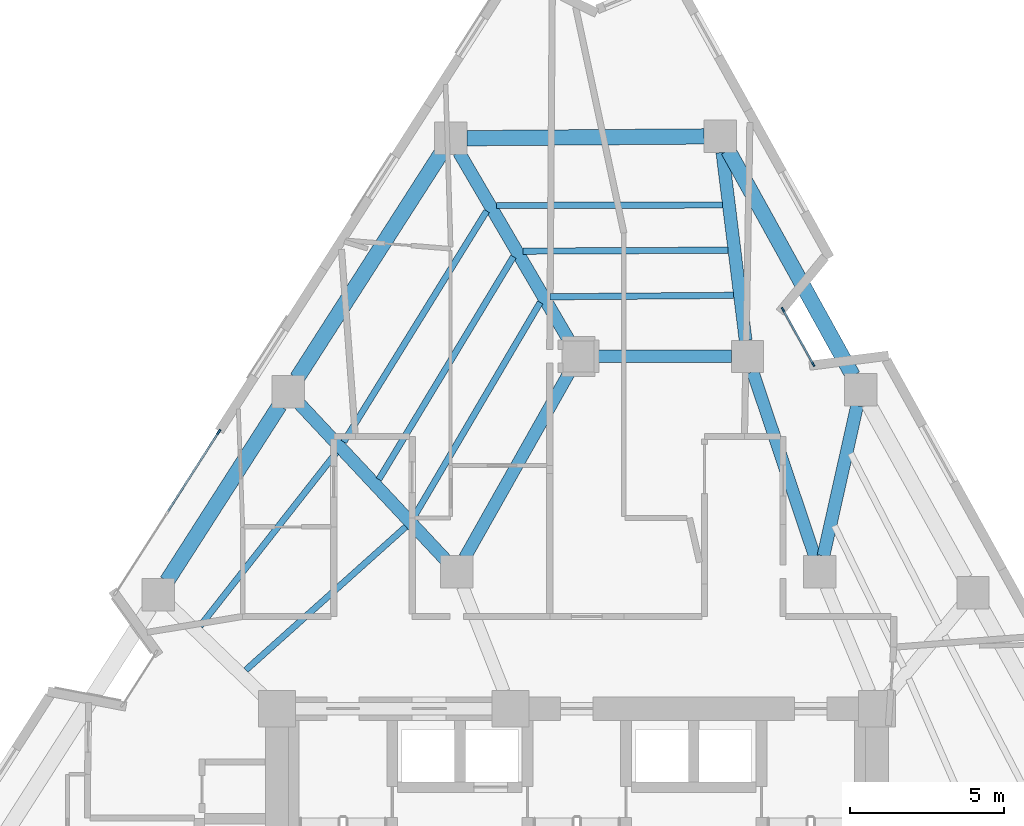
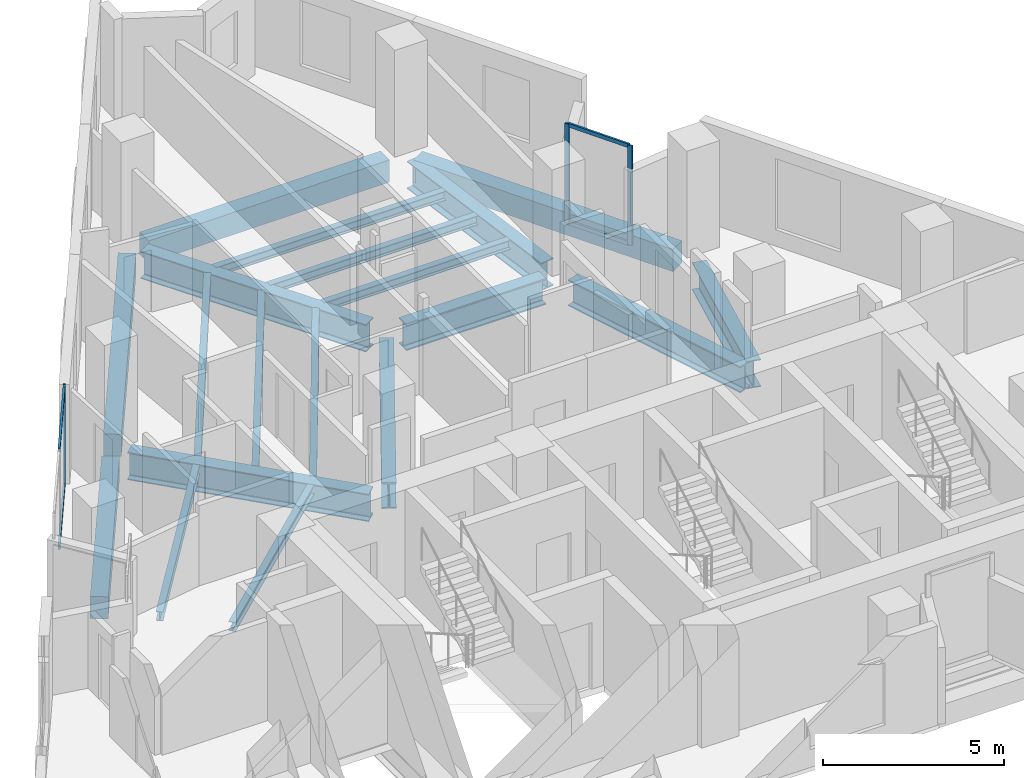
# One storey, part 3 of 11: 19 beams, 7 members, 2 elements without a shape of their own.
"""IFC4 building model written with IfcOpenShell, lengths in metres."""

from ifc_helpers import new_model, si_unit, direction, frame, origin, origin_2d, place, context, subcontext, project, spatial, rectangle, i_section, extrude, material, layer, layer_set, material_profile, profile_set, type_object, element, aggregate, save


model = new_model("IFC4")

# Units and contexts
model_context = context("Model", 3, precision=1e-05, world=origin(), true_north=direction((0.0, 1.0)))
body_context = subcontext(model_context, "Body", "Model", "MODEL_VIEW")
ifc_project = project(units=[si_unit("LENGTHUNIT", "METRE"), si_unit("AREAUNIT", "SQUARE_METRE"), si_unit("VOLUMEUNIT", "CUBIC_METRE"), si_unit("PLANEANGLEUNIT", "RADIAN"), si_unit("MASSUNIT", "GRAM", prefix="KILO")], contexts=[model_context])

# Site, building, storey
site_placement = place(None, origin())
site = spatial("IfcSite", under=ifc_project, at=site_placement, CompositionType="ELEMENT")
building_placement = place(site_placement, origin())
building = spatial("IfcBuilding", under=site, at=building_placement, Name="Almagre Mirador Tower", CompositionType="ELEMENT")
storey_placement = place(building_placement, frame((0.0, 0.0, 160.800048828125)))
storey = spatial("IfcBuildingStorey", under=building, at=storey_placement, Name="L41", CompositionType="ELEMENT", Elevation=160.800048828125)

# Beams
ifc_material_1 = material(Name="Steel ASTM A992 Grade 50", Category="steel")
ifc_material_profile_1 = material_profile(ifc_material_1, i_section(OverallWidth=0.205078125, OverallDepth=0.31005859375, WebThickness=0.009521484375, FlangeThickness=0.016357421875, FilletRadius=0.013916015625, at=origin_2d()), Name="W12X50")
ifc_profile_set_1 = profile_set([ifc_material_profile_1], Name="Steel ASTM A992 Grade 50")
beam_type_1 = type_object("IfcBeamType", Name="BM-JST-W12X50", PredefinedType="JOIST", material=ifc_profile_set_1)
beam_1_placement = place(storey_placement, frame((42.032958984375, 31.121826171875, -0.405029296875), z_axis=(-0.999997444767, -0.002260632521, 0.0), x_axis=(0.002260632521, -0.999997444767, 0.0)))
element("IfcBeam", 1, at=beam_1_placement, inside=storey, type_object=beam_type_1, Name="L41 secondary floor joist PC08-PC09.1", PredefinedType="JOIST", context=body_context, shape_type="SweptSolid", body=[
    extrude(i_section(OverallWidth=0.205078125, OverallDepth=0.31005859375, WebThickness=0.009521484375, FlangeThickness=0.016357421875, FilletRadius=0.013916015625, at=origin_2d()), origin(), (0.0, 0.0, 1.0), 7.34375),
])
beam_2_placement = place(storey_placement, frame((42.214111328125, 29.654296875, -0.405029296875), z_axis=(-0.999988103405, -0.004877811845, 0.0), x_axis=(0.004877811845, -0.999988103405, 0.0)))
element("IfcBeam", 2, at=beam_2_placement, inside=storey, type_object=beam_type_1, Name="L41 secondary floor joist PC08-PC09.2", PredefinedType="JOIST", context=body_context, shape_type="SweptSolid", body=[
    extrude(i_section(OverallWidth=0.205078125, OverallDepth=0.31005859375, WebThickness=0.009521484375, FlangeThickness=0.016357421875, FilletRadius=0.013916015625, at=origin_2d()), origin(), (0.0, 0.0, 1.0), 6.65673828125),
])
beam_3_placement = place(storey_placement, frame((42.3955078125, 28.186279296875, -0.405029296875), z_axis=(-0.999968205338, -0.007974228113, 0.0), x_axis=(0.007974228113, -0.999968205338, 0.0)))
element("IfcBeam", 3, at=beam_3_placement, inside=storey, type_object=beam_type_1, Name="L41 secondary floor joist PC08-PC09.3", PredefinedType="JOIST", context=body_context, shape_type="SweptSolid", body=[
    extrude(i_section(OverallWidth=0.205078125, OverallDepth=0.31005859375, WebThickness=0.009521484375, FlangeThickness=0.016357421875, FilletRadius=0.013916015625, at=origin_2d()), origin(), (0.0, 0.0, 1.0), 5.97021484375),
])
beam_4_placement = place(storey_placement, frame((34.3701171875, 30.927001953125, -0.405029296875), z_axis=(-0.526297490508, -0.850300506577, 0.0), x_axis=(0.850300506577, -0.526297490508, 0.0)))
element("IfcBeam", 4, at=beam_4_placement, inside=storey, type_object=beam_type_1, Name="L41 secondary floor joist PC09-PC10.1", PredefinedType="JOIST", context=body_context, shape_type="SweptSolid", body=[
    extrude(i_section(OverallWidth=0.205078125, OverallDepth=0.31005859375, WebThickness=0.009521484375, FlangeThickness=0.016357421875, FilletRadius=0.013916015625, at=origin_2d()), origin(), (0.0, 0.0, 1.0), 8.828125),
])
beam_5_placement = place(storey_placement, frame((35.240234375, 29.44189453125, -0.405029296875), z_axis=(-0.5172600995, -0.855828247644, 0.0), x_axis=(0.855828247644, -0.5172600995, 0.0)))
element("IfcBeam", 5, at=beam_5_placement, inside=storey, type_object=beam_type_1, Name="L41 secondary floor joist PC09-PC10.2", PredefinedType="JOIST", context=body_context, shape_type="SweptSolid", body=[
    extrude(i_section(OverallWidth=0.205078125, OverallDepth=0.31005859375, WebThickness=0.009521484375, FlangeThickness=0.016357421875, FilletRadius=0.013916015625, at=origin_2d()), origin(), (0.0, 0.0, 1.0), 8.4599609375),
])
beam_6_placement = place(storey_placement, frame((36.110595703125, 27.956787109375, -0.405029296875), z_axis=(-0.507370781605, -0.861727851455, 0.0), x_axis=(0.861727851455, -0.507370781605, 0.0)))
element("IfcBeam", 6, at=beam_6_placement, inside=storey, type_object=beam_type_1, Name="L41 secondary floor joist PC09-PC10.3", PredefinedType="JOIST", context=body_context, shape_type="SweptSolid", body=[
    extrude(i_section(OverallWidth=0.205078125, OverallDepth=0.31005859375, WebThickness=0.009521484375, FlangeThickness=0.016357421875, FilletRadius=0.013916015625, at=origin_2d()), origin(), (0.0, 0.0, 1.0), 8.092529296875),
])
beam_7_placement = place(storey_placement, frame((29.484619140625, 23.078369140625, -0.405029296875), z_axis=(-0.617460619368, -0.786601794766, 0.0), x_axis=(0.786601794766, -0.617460619368, 0.0)))
element("IfcBeam", 7, at=beam_7_placement, inside=storey, type_object=beam_type_1, Name="L41 secondary floor joist PC10-PC11.1", PredefinedType="JOIST", context=body_context, shape_type="SweptSolid", body=[
    extrude(i_section(OverallWidth=0.205078125, OverallDepth=0.31005859375, WebThickness=0.009521484375, FlangeThickness=0.016357421875, FilletRadius=0.013916015625, at=origin_2d()), origin(), (0.0, 0.0, 1.0), 7.1708984375),
])
beam_8_placement = place(storey_placement, frame((31.742919921875, 20.66357421875, -0.405029296875), z_axis=(-0.744984176827, -0.66708213608, 0.0), x_axis=(0.66708213608, -0.744984176827, 0.0)))
element("IfcBeam", 8, at=beam_8_placement, inside=storey, type_object=beam_type_1, Name="L41 secondary floor joist PC10-PC11.3", PredefinedType="JOIST", context=body_context, shape_type="SweptSolid", body=[
    extrude(i_section(OverallWidth=0.205078125, OverallDepth=0.31005859375, WebThickness=0.009521484375, FlangeThickness=0.016357421875, FilletRadius=0.013916015625, at=origin_2d()), origin(), (0.0, 0.0, 1.0), 6.979248046875),
])
ifc_material_2 = material(Name="Precast concrete C50/60", Category="concrete")
ifc_material_profile_2 = material_profile(ifc_material_2, rectangle(XDim=0.5, YDim=0.75, at=origin_2d()), Name="RC500X750")
ifc_profile_set_2 = profile_set([ifc_material_profile_2], Name="Precast concrete C50/60")
beam_type_2 = type_object("IfcBeamType", Name="BM-SPN-RC500X750", PredefinedType="SPANDREL", material=ifc_profile_set_2)
beam_9_placement = place(storey_placement, frame((46.271728515625, 25.574462890625, -0.625), z_axis=(-0.484205406649, 0.874954355479, 0.0), x_axis=(-0.874954355479, -0.484205406649, 0.0)))
element("IfcBeam", 9, at=beam_9_placement, inside=storey, type_object=beam_type_2, Name="L41 perimeter spandrel beam PC07-PC08", PredefinedType="SPANDREL", context=body_context, shape_type="SweptSolid", body=[
    extrude(rectangle(XDim=0.5, YDim=0.75, at=origin_2d()), origin(), (0.0, 0.0, 1.0), 8.367431640625),
])
beam_10_placement = place(storey_placement, frame((41.44091796875, 33.35107421875, -0.625), z_axis=(-0.999971631183, -0.007532385372, 0.0), x_axis=(0.007532385372, -0.999971631183, 0.0)))
element("IfcBeam", 10, at=beam_10_placement, inside=storey, type_object=beam_type_2, Name="L41 perimeter spandrel beam PC08-PC09", PredefinedType="SPANDREL", context=body_context, shape_type="SweptSolid", body=[
    extrude(rectangle(XDim=0.5, YDim=0.75, at=origin_2d()), origin(), (0.0, 0.0, 1.0), 7.714111328125),
])
beam_11_placement = place(storey_placement, frame((32.918701171875, 32.846923828125, -0.625), z_axis=(-0.539525433851, -0.841969302426, 0.0), x_axis=(0.841969302426, -0.539525433851, 0.0)))
element("IfcBeam", 11, at=beam_11_placement, inside=storey, type_object=beam_type_2, Name="L41 perimeter spandrel beam PC09-PC10", PredefinedType="SPANDREL", context=body_context, shape_type="SweptSolid", body=[
    extrude(rectangle(XDim=0.5, YDim=0.75, at=origin_2d()), origin(), (0.0, 0.0, 1.0), 8.736572265625),
])
beam_12_placement = place(storey_placement, frame((27.638916015625, 24.60693359375, -0.625), z_axis=(-0.539533906924, -0.841963872906, 0.0), x_axis=(0.841963872906, -0.539533906924, 0.0)))
element("IfcBeam", 12, at=beam_12_placement, inside=storey, type_object=beam_type_2, Name="L41 perimeter spandrel beam PC10-PC11", PredefinedType="SPANDREL", context=body_context, shape_type="SweptSolid", body=[
    extrude(rectangle(XDim=0.5, YDim=0.75, at=origin_2d()), origin(), (0.0, 0.0, 1.0), 6.779296875),
])
ifc_material_3 = material(Name="Steel ASTM A992 Grade 50", Category="steel")
ifc_material_profile_3 = material_profile(ifc_material_3, i_section(OverallWidth=0.404052734375, OverallDepth=0.884033203125, WebThickness=0.0244140625, FlangeThickness=0.0439453125, FilletRadius=0.02490234375, at=origin_2d()), Name="W33X291")
ifc_profile_set_3 = profile_set([ifc_material_profile_3], Name="Steel ASTM A992 Grade 50")
beam_type_3 = type_object("IfcBeamType", Name="BM-STL-W33X291", PredefinedType="BEAM", material=ifc_profile_set_3)
beam_13_placement = place(storey_placement, frame((37.875, 26.199951171875, -0.692138671875), z_axis=(1.0, 0.0, 0.0), x_axis=(0.0, 1.0, 0.0)))
element("IfcBeam", 13, at=beam_13_placement, inside=storey, type_object=beam_type_3, Name="L41 core tie girder MC7-MC6", PredefinedType="BEAM", context=body_context, shape_type="SweptSolid", body=[
    extrude(i_section(OverallWidth=0.404052734375, OverallDepth=0.884033203125, WebThickness=0.0244140625, FlangeThickness=0.0439453125, FilletRadius=0.02490234375, at=origin_2d()), origin(), (0.0, 0.0, 1.0), 4.449951171875),
])
beam_14_placement = place(storey_placement, frame((43.01708984375, 25.702392578125, -0.692138671875), z_axis=(0.318262189587, -0.948002731367, 0.0), x_axis=(0.948002731367, 0.318262189587, 0.0)))
element("IfcBeam", 14, at=beam_14_placement, inside=storey, type_object=beam_type_3, Name="L41 core tie girder MC6-MC5", PredefinedType="BEAM", context=body_context, shape_type="SweptSolid", body=[
    extrude(i_section(OverallWidth=0.404052734375, OverallDepth=0.884033203125, WebThickness=0.0244140625, FlangeThickness=0.0439453125, FilletRadius=0.02490234375, at=origin_2d()), origin(), (0.0, 0.0, 1.0), 6.333984375),
])
beam_15_placement = place(storey_placement, frame((37.092041015625, 25.742919921875, -0.692138671875), z_axis=(-0.491443510044, -0.870909453638, 0.0), x_axis=(0.870909453638, -0.491443510044, 0.0)))
element("IfcBeam", 15, at=beam_15_placement, inside=storey, type_object=beam_type_3, Name="L41 core tie girder MC7-MC8", PredefinedType="BEAM", context=body_context, shape_type="SweptSolid", body=[
    extrude(i_section(OverallWidth=0.404052734375, OverallDepth=0.884033203125, WebThickness=0.0244140625, FlangeThickness=0.0439453125, FilletRadius=0.02490234375, at=origin_2d()), origin(), (0.0, 0.0, 1.0), 6.98779296875),
])
ifc_material_4 = material(Name="Steel ASTM A992 Grade 50", Category="steel")
ifc_material_profile_4 = material_profile(ifc_material_4, i_section(OverallWidth=0.41796875, OverallDepth=0.927001953125, WebThickness=0.019287109375, FlangeThickness=0.031982421875, FilletRadius=0.028076171875, at=origin_2d()), Name="W36X231")
ifc_profile_set_4 = profile_set([ifc_material_profile_4], Name="Steel ASTM A992 Grade 50")
beam_type_4 = type_object("IfcBeamType", Name="BM-STL-W36X231", PredefinedType="BEAM", material=ifc_profile_set_4)
beam_16_placement = place(storey_placement, frame((46.4111328125, 24.602783203125, -0.713623046875), z_axis=(-0.21877143467, -0.975776131791, 0.0), x_axis=(0.975776131791, -0.21877143467, 0.0)))
element("IfcBeam", 16, at=beam_16_placement, inside=storey, type_object=beam_type_4, Name="L41 radial floor girder PC07-MC5", PredefinedType="BEAM", context=body_context, shape_type="SweptSolid", body=[
    extrude(i_section(OverallWidth=0.41796875, OverallDepth=0.927001953125, WebThickness=0.019287109375, FlangeThickness=0.031982421875, FilletRadius=0.028076171875, at=origin_2d()), origin(), (0.0, 0.0, 1.0), 5.01171875),
])
beam_17_placement = place(storey_placement, frame((42.030517578125, 32.833984375, -0.713623046875), z_axis=(0.122595496619, -0.99245672158, 0.0), x_axis=(0.99245672158, 0.122595496619, 0.0)))
element("IfcBeam", 17, at=beam_17_placement, inside=storey, type_object=beam_type_4, Name="L41 radial floor girder PC08-MC6", PredefinedType="BEAM", context=body_context, shape_type="SweptSolid", body=[
    extrude(i_section(OverallWidth=0.41796875, OverallDepth=0.927001953125, WebThickness=0.019287109375, FlangeThickness=0.031982421875, FilletRadius=0.028076171875, at=origin_2d()), origin(), (0.0, 0.0, 1.0), 6.159423828125),
])
beam_18_placement = place(storey_placement, frame((33.467041015625, 32.8359375, -0.713623046875), z_axis=(0.50504237399, -0.863094548977, 0.0), x_axis=(0.863094548977, 0.50504237399, 0.0)))
element("IfcBeam", 18, at=beam_18_placement, inside=storey, type_object=beam_type_4, Name="L41 radial floor girder PC09-MC7", PredefinedType="BEAM", context=body_context, shape_type="SweptSolid", body=[
    extrude(i_section(OverallWidth=0.41796875, OverallDepth=0.927001953125, WebThickness=0.019287109375, FlangeThickness=0.031982421875, FilletRadius=0.028076171875, at=origin_2d()), origin(), (0.0, 0.0, 1.0), 7.16357421875),
])
beam_19_placement = place(storey_placement, frame((28.281005859375, 24.665771484375, -0.713623046875), z_axis=(0.683570174234, -0.729884797004, 0.0), x_axis=(0.729884797004, 0.683570174234, 0.0)))
element("IfcBeam", 19, at=beam_19_placement, inside=storey, type_object=beam_type_4, Name="L41 radial floor girder PC10-MC8", PredefinedType="BEAM", context=body_context, shape_type="SweptSolid", body=[
    extrude(i_section(OverallWidth=0.41796875, OverallDepth=0.927001953125, WebThickness=0.019287109375, FlangeThickness=0.031982421875, FilletRadius=0.028076171875, at=origin_2d()), origin(), (0.0, 0.0, 1.0), 6.96337890625),
])

# Curtain wall, members
ifc_material_5 = material(Name="Black anodized aluminium", Category="aluminium")
ifc_layer_1 = layer(ifc_material_5, 0.169921875)
ifc_layer_set_1 = layer_set([ifc_layer_1], Name="Black anodized aluminium")
curtain_wall_type_1 = type_object("IfcCurtainWallType", Name="CW-CRS-SYS", PredefinedType="NOTDEFINED", material=ifc_layer_set_1)
curtain_wall_1_placement = place(storey_placement, origin())
curtain_wall_1 = element("IfcCurtainWall", 20, at=curtain_wall_1_placement, inside=storey, type_object=curtain_wall_type_1, Name="L41 vertical crease curtain wall 03", PredefinedType="NOTDEFINED")
ifc_material_6 = material(Name="Black anodized aluminium", Category="aluminium")
ifc_material_profile_5 = material_profile(ifc_material_6, rectangle(XDim=0.06005859375, YDim=0.14990234375, at=origin_2d()), Name="CWM60X150")
ifc_profile_set_5 = profile_set([ifc_material_profile_5], Name="Black anodized aluminium")
member_type_1 = type_object("IfcMemberType", Name="MBR-CWM60X150", PredefinedType="MULLION", material=ifc_profile_set_5)
member_1_placement = place(storey_placement, frame((43.99951171875, 27.71875, 0.0), z_axis=(0.0, 0.0, 1.0), x_axis=(0.874878722341, 0.48434204979, 0.0)))
member_1 = element("IfcMember", 21, at=member_1_placement, type_object=member_type_1, Name="CW-4 mullion 1", PredefinedType="MULLION", context=body_context, shape_type="SweptSolid", body=[
    extrude(rectangle(XDim=0.06005859375, YDim=0.14990234375, at=origin_2d()), origin(), (0.0, 0.0, 1.0), 3.349853515625),
])
member_2_placement = place(storey_placement, frame((44.982421875, 25.943359375, 0.0), z_axis=(0.0, 0.0, 1.0), x_axis=(0.874878722341, 0.48434204979, 0.0)))
member_2 = element("IfcMember", 22, at=member_2_placement, type_object=member_type_1, Name="CW-4 mullion 2", PredefinedType="MULLION", context=body_context, shape_type="SweptSolid", body=[
    extrude(rectangle(XDim=0.06005859375, YDim=0.14990234375, at=origin_2d()), origin(), (0.0, 0.0, 1.0), 3.349853515625),
])

# Curtain wall, member
ifc_material_7 = material(Name="Black anodized aluminium", Category="aluminium")
ifc_layer_2 = layer(ifc_material_7, 0.199951171875)
ifc_layer_set_2 = layer_set([ifc_layer_2], Name="Black anodized aluminium")
curtain_wall_type_2 = type_object("IfcCurtainWallType", Name="CW-RES-H-SYS", PredefinedType="NOTDEFINED", material=ifc_layer_set_2)
curtain_wall_2_placement = place(storey_placement, origin())
curtain_wall_2 = element("IfcCurtainWall", 23, at=curtain_wall_2_placement, inside=storey, type_object=curtain_wall_type_2, Name="L41 curtain wall run 02", PredefinedType="NOTDEFINED")
ifc_material_8 = material(Name="Black anodized aluminium", Category="aluminium")
ifc_material_profile_6 = material_profile(ifc_material_8, rectangle(XDim=0.06494140625, YDim=0.179931640625, at=origin_2d()), Name="CWM65X180")
ifc_profile_set_6 = profile_set([ifc_material_profile_6], Name="Black anodized aluminium")
member_type_2 = type_object("IfcMemberType", Name="MBR-CWM65X180", PredefinedType="MULLION", material=ifc_profile_set_6)
member_3_placement = place(storey_placement, frame((25.661865234375, 23.744384765625, 0.0), z_axis=(0.0, 0.0, 1.0), x_axis=(-0.841981168669, 0.539506915253, 0.0)))
member_3 = element("IfcMember", 24, at=member_3_placement, type_object=member_type_2, Name="CW-3 mullion 3", PredefinedType="MULLION", context=body_context, shape_type="SweptSolid", body=[
    extrude(rectangle(XDim=0.06494140625, YDim=0.179931640625, at=origin_2d()), origin(), (0.0, 0.0, 1.0), 3.349853515625),
])

# Member
ifc_material_9 = material(Name="Black anodized aluminium", Category="aluminium")
ifc_material_profile_7 = material_profile(ifc_material_9, rectangle(XDim=0.06005859375, YDim=0.1298828125, at=origin_2d()), Name="CWT60X130")
ifc_profile_set_7 = profile_set([ifc_material_profile_7], Name="Black anodized aluminium")
member_type_3 = type_object("IfcMemberType", Name="MBR-CWT60X130", PredefinedType="USERDEFINED", material=ifc_profile_set_7)
member_4_placement = place(storey_placement, frame((44.01416015625, 27.692626953125, 0.030029296875), z_axis=(0.484305716998, -0.874898835571, 0.0), x_axis=(0.874898835571, 0.484305716998, 0.0)))
member_4 = element("IfcMember", 25, at=member_4_placement, type_object=member_type_3, Name="CW-4 transom 1.1", ObjectType="TRANSOM", PredefinedType="USERDEFINED", context=body_context, shape_type="SweptSolid", body=[
    extrude(rectangle(XDim=0.06005859375, YDim=0.1298828125, at=origin_2d()), origin(), (0.0, 0.0, 1.0), 1.969482421875),
])

member_5_placement = place(storey_placement, frame((44.01416015625, 27.692626953125, 3.320068359375), z_axis=(0.484305716998, -0.874898835571, 0.0), x_axis=(0.874898835571, 0.484305716998, 0.0)))
member_5 = element("IfcMember", 26, at=member_5_placement, type_object=member_type_3, Name="CW-4 transom 1.2", ObjectType="TRANSOM", PredefinedType="USERDEFINED", context=body_context, shape_type="SweptSolid", body=[
    extrude(rectangle(XDim=0.06005859375, YDim=0.1298828125, at=origin_2d()), origin(), (0.0, 0.0, 1.0), 1.969482421875),
])

aggregate(curtain_wall_1, [member_1, member_2, member_4, member_5])

ifc_material_10 = material(Name="Black anodized aluminium", Category="aluminium")
ifc_material_profile_8 = material_profile(ifc_material_10, rectangle(XDim=0.06494140625, YDim=0.14990234375, at=origin_2d()), Name="CWT65X150")
ifc_profile_set_8 = profile_set([ifc_material_profile_8], Name="Black anodized aluminium")
member_type_4 = type_object("IfcMemberType", Name="MBR-CWT65X150", PredefinedType="USERDEFINED", material=ifc_profile_set_8)
member_6_placement = place(storey_placement, frame((24.003173828125, 21.15576171875, 0.032470703125), z_axis=(0.539552347073, 0.841952056098, 0.0), x_axis=(-0.841952056098, 0.539552347073, 0.0)))
member_6 = element("IfcMember", 27, at=member_6_placement, type_object=member_type_4, Name="CW-3 transom 2.1", ObjectType="TRANSOM", PredefinedType="USERDEFINED", context=body_context, shape_type="SweptSolid", body=[
    extrude(rectangle(XDim=0.06494140625, YDim=0.14990234375, at=origin_2d()), origin(), (0.0, 0.0, 1.0), 3.0419921875),
])

member_7_placement = place(storey_placement, frame((24.003173828125, 21.15576171875, 3.3173828125), z_axis=(0.539552347073, 0.841952056098, 0.0), x_axis=(-0.841952056098, 0.539552347073, 0.0)))
member_7 = element("IfcMember", 28, at=member_7_placement, type_object=member_type_4, Name="CW-3 transom 2.2", ObjectType="TRANSOM", PredefinedType="USERDEFINED", context=body_context, shape_type="SweptSolid", body=[
    extrude(rectangle(XDim=0.06494140625, YDim=0.14990234375, at=origin_2d()), origin(), (0.0, 0.0, 1.0), 3.0419921875),
])

aggregate(curtain_wall_2, [member_3, member_6, member_7])

save(model, "model.ifc")
